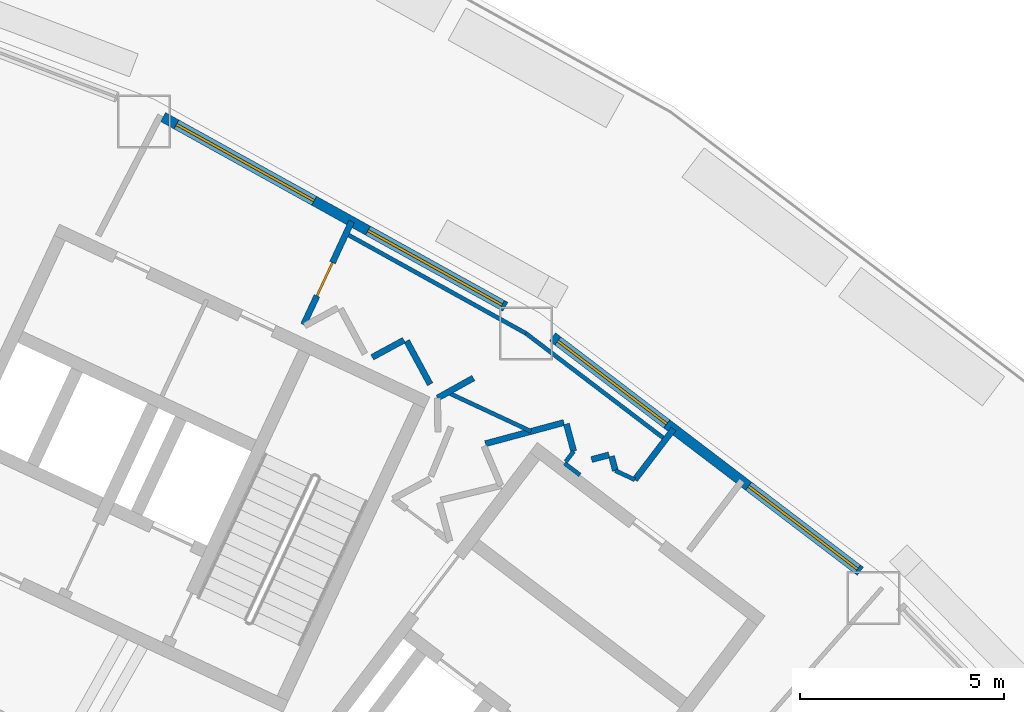
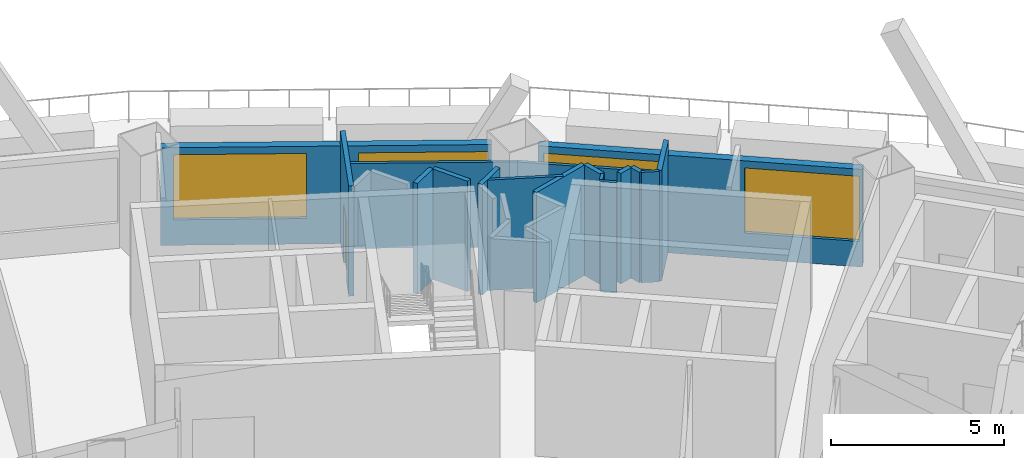
# One storey, part 8 of 12: 17 walls, 4 windows, 1 door, 5 openings.
"""IFC4 building model written with IfcOpenShell, lengths in metres."""

from ifc_helpers import new_model, si_unit, direction, frame, frame_2d, origin, place, context, subcontext, project, spatial, rectangle, extrude, material, layer, layer_set, type_object, element, fill, save


model = new_model("IFC4")

# Units and contexts
model_context = context("Model", 3, precision=1e-05, world=origin(), true_north=direction((0.0, 1.0)))
body_context = subcontext(model_context, "Body", "Model", "MODEL_VIEW")
ifc_project = project(units=[si_unit("LENGTHUNIT", "METRE"), si_unit("AREAUNIT", "SQUARE_METRE"), si_unit("VOLUMEUNIT", "CUBIC_METRE"), si_unit("PLANEANGLEUNIT", "RADIAN"), si_unit("MASSUNIT", "GRAM", prefix="KILO")], contexts=[model_context])

# Site, building, storey
site_placement = place(None, origin())
site = spatial("IfcSite", under=ifc_project, at=site_placement, CompositionType="ELEMENT")
building_placement = place(site_placement, origin())
building = spatial("IfcBuilding", under=site, at=building_placement, Name="Tuul Gate Civic Tower", CompositionType="ELEMENT")
storey_placement = place(building_placement, frame((0.0, 0.0, 31.5)))
storey = spatial("IfcBuildingStorey", under=building, at=storey_placement, Name="Level 06", CompositionType="ELEMENT", Elevation=31.5)

# Walls
ifc_material_1 = material(Name="Gypsum board partition")
ifc_layer_1 = layer(ifc_material_1, 0.14990234375)
ifc_layer_set_1 = layer_set([ifc_layer_1], Name="Gypsum board partition")
wall_type_1 = type_object("IfcWallType", Name="Corridor wall P150", PredefinedType="PARTITIONING", material=ifc_layer_set_1)
wall_1_placement = place(storey_placement, frame((42.49609375, -1.130615234375, 0.0), z_axis=(0.0, 0.0, 1.0), x_axis=(0.260334388139, -0.965518516836, 0.0)))
element("IfcWall", 1, at=wall_1_placement, inside=storey, type_object=wall_type_1, Name="p012", PredefinedType="PARTITIONING", context=body_context, shape_type="SweptSolid", body=[
    extrude(rectangle(XDim=0.36376953125, YDim=0.14990234375, at=frame_2d((0.181884765625, 0.0))), origin(), (0.0, 0.0, 1.0), 3.89990234375),
])
wall_2_placement = place(storey_placement, frame((42.0087890625, -1.210693359375, 0.0), z_axis=(0.0, 0.0, 1.0), x_axis=(0.965487504483, 0.260449378357, 0.0)))
element("IfcWall", 2, at=wall_2_placement, inside=storey, type_object=wall_type_1, Name="p014", PredefinedType="PARTITIONING", context=body_context, shape_type="SweptSolid", body=[
    extrude(rectangle(XDim=0.44140625, YDim=0.14990234375, at=frame_2d((0.220703125, 0.0))), origin(), (0.0, 0.0, 1.0), 3.89990234375),
])
wall_3_placement = place(storey_placement, frame((41.392333984375, -0.340087890625, 0.0), z_axis=(0.0, 0.0, 1.0), x_axis=(0.260455038603, -0.965485977561, 0.0)))
element("IfcWall", 3, at=wall_3_placement, inside=storey, type_object=wall_type_1, Name="p015", PredefinedType="PARTITIONING", context=body_context, shape_type="SweptSolid", body=[
    extrude(rectangle(XDim=0.69091796875, YDim=0.14990234375, at=frame_2d((0.345458984375, 0.0))), origin(), (0.0, 0.0, 1.0), 3.89990234375),
])
wall_4_placement = place(storey_placement, frame((39.414306640625, -0.822265625, 0.0), z_axis=(0.0, 0.0, 1.0), x_axis=(0.965483838188, 0.260462968957, 0.0)))
element("IfcWall", 4, at=wall_4_placement, inside=storey, type_object=wall_type_1, Name="p016", PredefinedType="PARTITIONING", context=body_context, shape_type="SweptSolid", body=[
    extrude(rectangle(XDim=1.9853515625, YDim=0.14990234375, at=frame_2d((0.99267578125, 0.0))), origin(), (0.0, 0.0, 1.0), 3.89990234375),
])
wall_5_placement = place(storey_placement, frame((38.24365234375, 0.294189453125, 0.0), z_axis=(0.0, 0.0, 1.0), x_axis=(0.872634875063, 0.488373192163, 0.0)))
element("IfcWall", 5, at=wall_5_placement, inside=storey, type_object=wall_type_1, Name="p017", PredefinedType="PARTITIONING", context=body_context, shape_type="SweptSolid", body=[
    extrude(rectangle(XDim=1.001220703125, YDim=0.14990234375, at=frame_2d((0.50048828125, 0.0))), origin(), (0.0, 0.0, 1.0), 3.89990234375),
])
wall_6_placement = place(storey_placement, frame((37.488525390625, 1.689208984375, 0.0), z_axis=(0.0, 0.0, 1.0), x_axis=(0.476165599741, -0.879355628641, 0.0)))
element("IfcWall", 6, at=wall_6_placement, inside=storey, type_object=wall_type_1, Name="p019", PredefinedType="PARTITIONING", context=body_context, shape_type="SweptSolid", body=[
    extrude(rectangle(XDim=1.204345703125, YDim=0.14990234375, at=frame_2d((0.60205078125, 0.0))), origin(), (0.0, 0.0, 1.0), 3.89990234375),
])
wall_7_placement = place(storey_placement, frame((36.645751953125, 1.29052734375, 0.0), z_axis=(0.0, 0.0, 1.0), x_axis=(0.879490194501, 0.475917007236, 0.0)))
element("IfcWall", 7, at=wall_7_placement, inside=storey, type_object=wall_type_1, Name="p021", PredefinedType="PARTITIONING", context=body_context, shape_type="SweptSolid", body=[
    extrude(rectangle(XDim=0.880859375, YDim=0.14990234375, at=frame_2d((0.4404296875, 0.0))), origin(), (0.0, 0.0, 1.0), 3.89990234375),
])

# Wall, opening, door
wall_8_placement = place(storey_placement, frame((34.96435546875, 2.085693359375, 0.0), z_axis=(0.0, 0.0, 1.0), x_axis=(0.422684240574, 0.906277017678, 0.0)))
wall_8 = element("IfcWall", 8, at=wall_8_placement, inside=storey, type_object=wall_type_1, Name="p025", PredefinedType="PARTITIONING", context=body_context, shape_type="SweptSolid", body=[
    extrude(rectangle(XDim=2.789794921875, YDim=0.14990234375, at=frame_2d((1.39501953125, 0.0))), origin(), (0.0, 0.0, 1.0), 3.89990234375),
])
opening_1_placement = place(wall_8_placement, frame((0.779052734375, 0.0, 0.0)))
opening_1 = element("IfcOpeningElement", 9, at=opening_1_placement, cuts=wall_8, Name="Opening A-D03", PredefinedType="OPENING", context=body_context, shape_type="SweptSolid", body=[
    extrude(rectangle(XDim=0.89990234375, YDim=2.10009765625, at=frame_2d((0.449951171875, 1.050048828125))), frame((0.0, 0.0849609375, 0.0), z_axis=(0.0, -1.0, 0.0), x_axis=(1.0, 0.0, 0.0)), (0.0, 0.0, 1.0), 0.169921875),
])
ifc_material_2 = material(Name="Timber door leaf", Category="wood")
door_type = type_object("IfcDoorType", Name="Door D09", OperationType="NOTDEFINED", PredefinedType="DOOR", material=ifc_material_2)
door_placement = place(opening_1_placement, frame((0.89990234375, 0.0, 0.0), z_axis=(0.0, 0.0, 1.0), x_axis=(-1.0, 0.0, 0.0)))
door = element("IfcDoor", 10, at=door_placement, inside=storey, type_object=door_type, Name="Door A-D03", OperationType="SINGLE_SWING_RIGHT", OverallHeight=2.10009765625, OverallWidth=0.89990234375, PredefinedType="DOOR", context=body_context, shape_type="SweptSolid", body=[
    extrude(rectangle(XDim=0.89990234375, YDim=2.10009765625, at=frame_2d((0.449951171875, 1.050048828125))), frame((0.0, 0.02490234375, 0.0), z_axis=(0.0, -1.0, 0.0), x_axis=(1.0, 0.0, 0.0)), (0.0, 0.0, 1.0), 0.050048828125),
])
fill(opening_1, door)

# Wall
wall_9_placement = place(storey_placement, frame((43.066650390625, -1.703857421875, 0.0), z_axis=(0.0, 0.0, 1.0), x_axis=(0.606522762307, 0.795066122284, 0.0)))
element("IfcWall", 11, at=wall_9_placement, inside=storey, type_object=wall_type_1, Name="p026", PredefinedType="PARTITIONING", context=body_context, shape_type="SweptSolid", body=[
    extrude(rectangle(XDim=1.564208984375, YDim=0.14990234375, at=frame_2d((0.7822265625, 0.0))), origin(), (0.0, 0.0, 1.0), 3.89990234375),
])

# Wall, openings, windows
ifc_material_3 = material(Name="Precast concrete C40/50", Category="concrete")
ifc_layer_2 = layer(ifc_material_3, 0.25)
ifc_layer_set_2 = layer_set([ifc_layer_2], Name="Precast concrete C40/50")
wall_type_2 = type_object("IfcWallType", Name="External wall", PredefinedType="STANDARD", material=ifc_layer_set_2)
wall_10_placement = place(storey_placement, frame((48.579833984375, -3.94189453125, 0.0), z_axis=(0.0, 0.0, 1.0), x_axis=(-0.795612935537, 0.605805296119, 0.0)))
wall_10 = element("IfcWall", 12, at=wall_10_placement, inside=storey, type_object=wall_type_2, Name="External wall", PredefinedType="STANDARD", context=body_context, shape_type="SweptSolid", body=[
    extrude(rectangle(XDim=9.461669921875, YDim=0.25, at=frame_2d((4.73095703125, 0.0))), origin(), (0.0, 0.0, 1.0), 3.449951171875),
])
opening_2_placement = place(wall_10_placement, frame((0.086669921875, 0.0, 0.89990234375)))
opening_2 = element("IfcOpeningElement", 13, at=opening_2_placement, cuts=wall_10, Name="Opening W27", PredefinedType="OPENING", context=body_context, shape_type="SweptSolid", body=[
    extrude(rectangle(XDim=3.35009765625, YDim=2.300048828125, at=frame_2d((1.675048828125, 1.14990234375))), frame((0.0, 0.135009765625, 0.0), z_axis=(0.0, -1.0, 0.0), x_axis=(1.0, 0.0, 0.0)), (0.0, 0.0, 1.0), 0.27001953125),
])
opening_3_placement = place(wall_10_placement, frame((5.947021484375, 0.0, 0.89990234375)))
opening_3 = element("IfcOpeningElement", 14, at=opening_3_placement, cuts=wall_10, Name="Opening W27", PredefinedType="OPENING", context=body_context, shape_type="SweptSolid", body=[
    extrude(rectangle(XDim=3.35009765625, YDim=2.300048828125, at=frame_2d((1.675048828125, 1.14990234375))), frame((0.0, 0.135009765625, 0.0), z_axis=(0.0, -1.0, 0.0), x_axis=(1.0, 0.0, 0.0)), (0.0, 0.0, 1.0), 0.27001953125),
])
ifc_material_4 = material(Name="Glass", Category="glass")
window_type_1 = type_object("IfcWindowType", Name="Window 3350 x 2300", PartitioningType="SINGLE_PANEL", PredefinedType="WINDOW", material=ifc_material_4)
window_1_placement = place(opening_2_placement, origin())
window_1 = element("IfcWindow", 15, at=window_1_placement, inside=storey, type_object=window_type_1, Name="Window", OverallHeight=2.300048828125, OverallWidth=3.35009765625, PartitioningType="SINGLE_PANEL", PredefinedType="WINDOW", context=body_context, shape_type="SweptSolid", body=[
    extrude(rectangle(XDim=3.35009765625, YDim=2.300048828125, at=frame_2d((1.675048828125, 1.14990234375))), frame((0.0, 0.030029296875, 0.0), z_axis=(0.0, -1.0, 0.0), x_axis=(1.0, 0.0, 0.0)), (0.0, 0.0, 1.0), 0.06005859375),
])
fill(opening_2, window_1)
window_2_placement = place(opening_3_placement, origin())
window_2 = element("IfcWindow", 16, at=window_2_placement, inside=storey, type_object=window_type_1, Name="Window", OverallHeight=2.300048828125, OverallWidth=3.35009765625, PartitioningType="SINGLE_PANEL", PredefinedType="WINDOW", context=body_context, shape_type="SweptSolid", body=[
    extrude(rectangle(XDim=3.35009765625, YDim=2.300048828125, at=frame_2d((1.675048828125, 1.14990234375))), frame((0.0, 0.030029296875, 0.0), z_axis=(0.0, -1.0, 0.0), x_axis=(1.0, 0.0, 0.0)), (0.0, 0.0, 1.0), 0.06005859375),
])
fill(opening_3, window_2)

wall_11_placement = place(storey_placement, frame((39.900390625, 2.52587890625, 0.0), z_axis=(0.0, 0.0, 1.0), x_axis=(-0.874628609166, 0.484793560217, 0.0)))
wall_11 = element("IfcWall", 17, at=wall_11_placement, inside=storey, type_object=wall_type_2, Name="External wall", PredefinedType="STANDARD", context=body_context, shape_type="SweptSolid", body=[
    extrude(rectangle(XDim=9.5693359375, YDim=0.25, at=frame_2d((4.78466796875, 0.0))), origin(), (0.0, 0.0, 1.0), 3.449951171875),
])
opening_4_placement = place(wall_11_placement, frame((0.092041015625, 0.0, 0.89990234375)))
opening_4 = element("IfcOpeningElement", 18, at=opening_4_placement, cuts=wall_11, Name="Opening W99", PredefinedType="OPENING", context=body_context, shape_type="SweptSolid", body=[
    extrude(rectangle(XDim=3.75, YDim=2.300048828125, at=frame_2d((1.875, 1.14990234375))), frame((0.0, 0.135009765625, 0.0), z_axis=(0.0, -1.0, 0.0), x_axis=(1.0, 0.0, 0.0)), (0.0, 0.0, 1.0), 0.27001953125),
])
opening_5_placement = place(wall_11_placement, frame((5.345458984375, 0.0, 0.89990234375)))
opening_5 = element("IfcOpeningElement", 19, at=opening_5_placement, cuts=wall_11, Name="Opening W22", PredefinedType="OPENING", context=body_context, shape_type="SweptSolid", body=[
    extrude(rectangle(XDim=3.85009765625, YDim=2.300048828125, at=frame_2d((1.925048828125, 1.14990234375))), frame((0.0, 0.135009765625, 0.0), z_axis=(0.0, -1.0, 0.0), x_axis=(1.0, 0.0, 0.0)), (0.0, 0.0, 1.0), 0.27001953125),
])
ifc_material_5 = material(Name="Glass", Category="glass")
window_type_2 = type_object("IfcWindowType", Name="Window W22 3850 x 2300", PartitioningType="SINGLE_PANEL", PredefinedType="WINDOW", material=ifc_material_5)
window_3_placement = place(opening_5_placement, origin())
window_3 = element("IfcWindow", 20, at=window_3_placement, inside=storey, type_object=window_type_2, Name="Window", OverallHeight=2.300048828125, OverallWidth=3.85009765625, PartitioningType="SINGLE_PANEL", PredefinedType="WINDOW", context=body_context, shape_type="SweptSolid", body=[
    extrude(rectangle(XDim=3.85009765625, YDim=2.300048828125, at=frame_2d((1.925048828125, 1.14990234375))), frame((0.0, 0.030029296875, 0.0), z_axis=(0.0, -1.0, 0.0), x_axis=(1.0, 0.0, 0.0)), (0.0, 0.0, 1.0), 0.06005859375),
])
fill(opening_5, window_3)
ifc_material_6 = material(Name="Glass", Category="glass")
window_type_3 = type_object("IfcWindowType", Name="Window W99 3750 x 2300", PartitioningType="SINGLE_PANEL", PredefinedType="WINDOW", material=ifc_material_6)
window_4_placement = place(opening_4_placement, origin())
window_4 = element("IfcWindow", 21, at=window_4_placement, inside=storey, type_object=window_type_3, Name="Window", OverallHeight=2.300048828125, OverallWidth=3.75, PartitioningType="SINGLE_PANEL", PredefinedType="WINDOW", context=body_context, shape_type="SweptSolid", body=[
    extrude(rectangle(XDim=3.75, YDim=2.300048828125, at=frame_2d((1.875, 1.14990234375))), frame((0.0, 0.030029296875, 0.0), z_axis=(0.0, -1.0, 0.0), x_axis=(1.0, 0.0, 0.0)), (0.0, 0.0, 1.0), 0.06005859375),
])
fill(opening_4, window_4)

# Walls
ifc_material_7 = material(Name="Gypsum board partition")
ifc_layer_3 = layer(ifc_material_7, 0.10009765625)
ifc_layer_set_3 = layer_set([ifc_layer_3], Name="Gypsum board partition")
wall_type_3 = type_object("IfcWallType", Name="Partition P100", PredefinedType="PARTITIONING", material=ifc_layer_set_3)
wall_12_placement = place(storey_placement, frame((38.48828125, 0.43115234375, 0.0), z_axis=(0.0, 0.0, 1.0), x_axis=(0.906335322798, -0.422559206086, 0.0)))
element("IfcWall", 22, at=wall_12_placement, inside=storey, type_object=wall_type_3, Name="p027", PredefinedType="PARTITIONING", context=body_context, shape_type="SweptSolid", body=[
    extrude(rectangle(XDim=2.253173828125, YDim=0.10009765625, at=frame_2d((1.12646484375, 0.0))), origin(), (0.0, 0.0, 1.0), 3.89990234375),
])
wall_13_placement = place(storey_placement, frame((43.066650390625, -1.703857421875, 0.0), z_axis=(0.0, 0.0, 1.0), x_axis=(-0.906278152891, 0.422681806556, 0.0)))
element("IfcWall", 23, at=wall_13_placement, inside=storey, type_object=wall_type_3, Name="p074", PredefinedType="PARTITIONING", context=body_context, shape_type="SweptSolid", body=[
    extrude(rectangle(XDim=0.525146484375, YDim=0.10009765625, at=frame_2d((0.2626953125, 0.0))), origin(), (0.0, 0.0, 1.0), 3.89990234375),
])
wall_14_placement = place(storey_placement, frame((41.72265625, -1.586181640625, 0.0), z_axis=(0.0, 0.0, 1.0), x_axis=(-0.795681861746, 0.605714763638, 0.0)))
element("IfcWall", 24, at=wall_14_placement, inside=storey, type_object=wall_type_3, Name="p075", PredefinedType="PARTITIONING", context=body_context, shape_type="SweptSolid", body=[
    extrude(rectangle(XDim=0.470458984375, YDim=0.10009765625, at=frame_2d((0.2353515625, 0.0))), origin(), (0.0, 0.0, 1.0), 3.89990234375),
])
wall_15_placement = place(storey_placement, frame((41.572265625, -1.007080078125, 0.0), z_axis=(0.0, 0.0, 1.0), x_axis=(-0.605605946975, -0.795764686945, 0.0)))
element("IfcWall", 25, at=wall_15_placement, inside=storey, type_object=wall_type_3, Name="p081", PredefinedType="PARTITIONING", context=body_context, shape_type="SweptSolid", body=[
    extrude(rectangle(XDim=0.319580078125, YDim=0.10009765625, at=frame_2d((0.15966796875, 0.0))), origin(), (0.0, 0.0, 1.0), 3.89990234375),
])
ifc_material_8 = material(Name="Gypsum board partition")
ifc_layer_4 = layer(ifc_material_8, 0.10009765625)
ifc_layer_set_4 = layer_set([ifc_layer_4], Name="Gypsum board partition")
wall_type_4 = type_object("IfcWallType", Name="Partition P100 3000 HIGH", PredefinedType="PARTITIONING", material=ifc_layer_set_4)
wall_16_placement = place(storey_placement, frame((36.002685546875, 4.314697265625, 0.0), z_axis=(0.0, 0.0, 1.0), x_axis=(0.874644472178, -0.484764940243, 0.0)))
element("IfcWall", 26, at=wall_16_placement, inside=storey, type_object=wall_type_4, Name="p076", PredefinedType="PARTITIONING", context=body_context, shape_type="SweptSolid", body=[
    extrude(rectangle(XDim=5.0302734375, YDim=0.10009765625, at=frame_2d((2.51513671875, 0.0))), origin(), (0.0, 0.0, 1.0), 3.0),
])
wall_17_placement = place(storey_placement, frame((40.40234375, 1.876220703125, 0.0), z_axis=(0.0, 0.0, 1.0), x_axis=(0.795614595669, -0.605803115838, 0.0)))
element("IfcWall", 27, at=wall_17_placement, inside=storey, type_object=wall_type_4, Name="p077", PredefinedType="PARTITIONING", context=body_context, shape_type="SweptSolid", body=[
    extrude(rectangle(XDim=4.28955078125, YDim=0.10009765625, at=frame_2d((2.144775390625, 0.0))), origin(), (0.0, 0.0, 1.0), 3.0),
])

save(model, "model.ifc")
